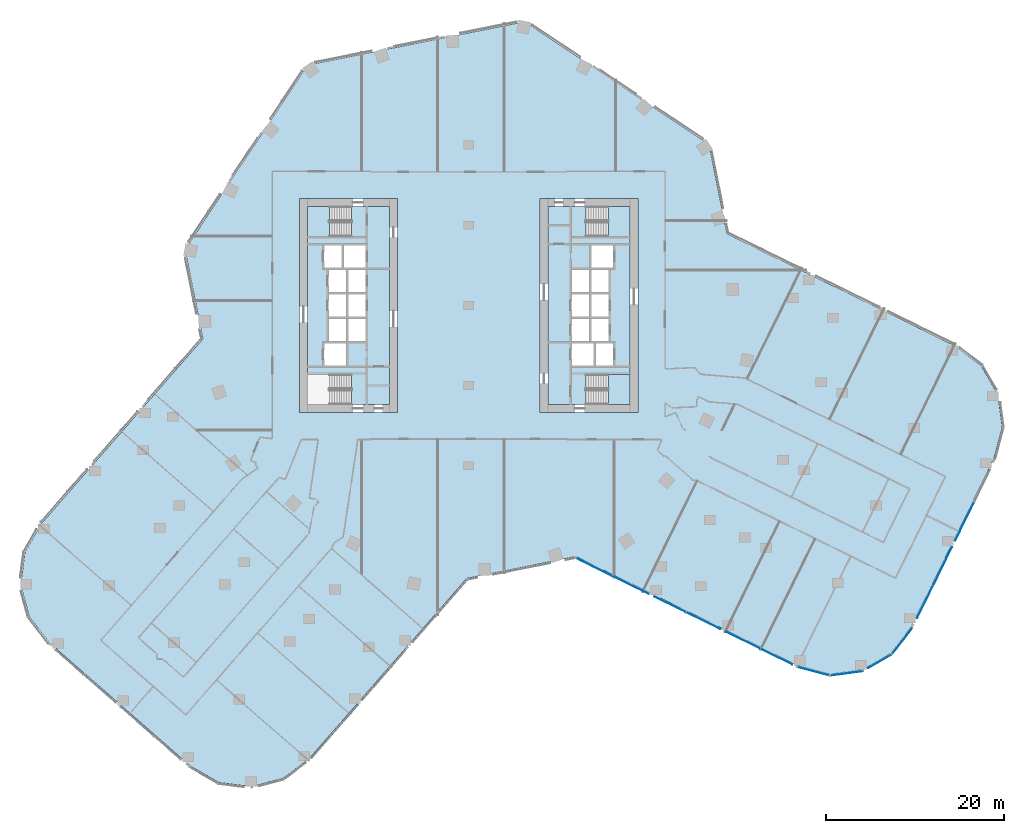
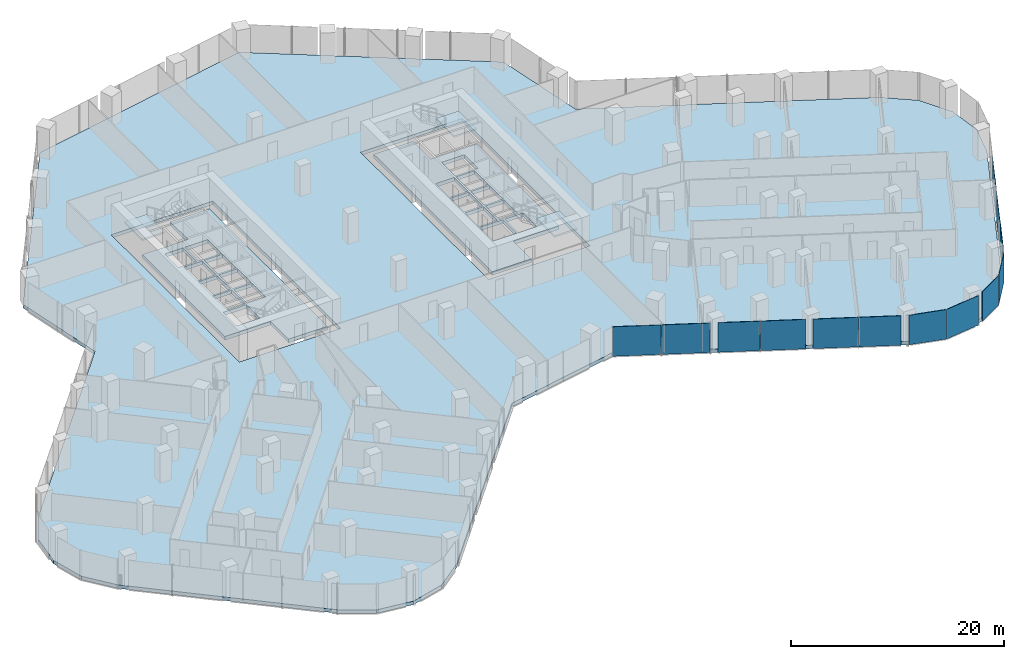
# One storey, part 21 of 38: 13 plates, 6 slabs, 9 elements without a shape of their own.
"""IFC4 building model written with IfcOpenShell, lengths in metres."""

import ifcopenshell
import ifcopenshell.guid

model = None  # the IFC model being written
_history = None  # IfcOwnerHistory: only IFC2X3 demands one
_inside = {}  # id of a spatial element -> (the spatial element, [elements in it])
_under = {}  # id of a project, library or spatial element -> (it, [spatial elements below it])
_declared = {}  # id of a project -> (the project, [libraries it declares])
_typed = {}  # id of a type object -> (the type object, [elements of that type])
_made_of = {}  # id of a material, layer set ... -> (it, [elements and type objects made of it])


def new_model(schema):
    """Start an empty IFC model of exactly this schema.

    Asked for "IFC4X3", IfcOpenShell would pick the latest addendum, in which some entities
    have other attributes; the version numbers below select the first issue.
    IFC2X3 requires an IfcOwnerHistory on every rooted entity: one is made here for all.
    """
    global model, _history
    if schema == "IFC4X3":
        model = ifcopenshell.file(schema_version=(4, 3, 0, 0))
    else:
        model = ifcopenshell.file(schema=schema)
    _inside.clear()
    _under.clear()
    _declared.clear()
    _typed.clear()
    _made_of.clear()
    _history = None
    if model.schema == "IFC2X3":
        org = make("IfcOrganization", Name="unknown")
        user = make(
            "IfcPersonAndOrganization",
            ThePerson=make("IfcPerson", FamilyName="unknown"),
            TheOrganization=org,
        )
        app = make(
            "IfcApplication",
            ApplicationDeveloper=org,
            Version="unknown",
            ApplicationFullName="unknown",
            ApplicationIdentifier="unknown",
        )
        _history = make(
            "IfcOwnerHistory",
            OwningUser=user,
            OwningApplication=app,
            ChangeAction="ADDED",
            CreationDate=0,
        )
    return model


def make(cls, **values):
    """One entity of the class cls with the attributes given. An attribute that is None is left unset."""
    return model.create_entity(
        cls, **{name: value for name, value in values.items() if value is not None}
    )


def rooted(cls, **values):
    """An entity with a GlobalId (a new one), such as an element, a storey or a relation."""
    return make(cls, GlobalId=ifcopenshell.guid.new(), OwnerHistory=_history, **values)


def si_unit(unit_type, name, prefix=None):
    """IfcSIUnit, for example si_unit("LENGTHUNIT", "METRE", prefix="MILLI")."""
    return make("IfcSIUnit", UnitType=unit_type, Prefix=prefix, Name=name)


def assignment(units):
    """IfcUnitAssignment: the units of a project."""
    return None if units is None else make("IfcUnitAssignment", Units=units)


def point(xyz):
    """IfcCartesianPoint."""
    return None if xyz is None else make("IfcCartesianPoint", Coordinates=xyz)


def direction(xyz):
    """IfcDirection."""
    return None if xyz is None else make("IfcDirection", DirectionRatios=xyz)


def frame(location, z_axis=None, x_axis=None):
    """IfcAxis2Placement3D, a coordinate frame: its origin and axes. An axis left out is left unset."""
    return make(
        "IfcAxis2Placement3D",
        Location=point(location),
        Axis=direction(z_axis),
        RefDirection=direction(x_axis),
    )


def frame_2d(location, x_axis=None):
    """IfcAxis2Placement2D, a coordinate frame in the plane: its origin and x axis."""
    return make(
        "IfcAxis2Placement2D", Location=point(location), RefDirection=direction(x_axis)
    )


def origin():
    """The frame at (0, 0, 0) with its axes left unset."""
    return frame((0.0, 0.0, 0.0))


def origin_2d():
    """The frame at (0, 0) in the plane with its x axis left unset."""
    return frame_2d((0.0, 0.0))


def place(relative_to, where):
    """IfcLocalPlacement: puts the frame where relative to a parent placement (None: the world)."""
    return make(
        "IfcLocalPlacement", PlacementRelTo=relative_to, RelativePlacement=where
    )


def context(
    kind, dimensions, precision=None, world=None, true_north=None, identifier=None
):
    """IfcGeometricRepresentationContext, for example the 3D "Model" context."""
    return make(
        "IfcGeometricRepresentationContext",
        ContextIdentifier=identifier,
        ContextType=kind,
        CoordinateSpaceDimension=dimensions,
        Precision=precision,
        WorldCoordinateSystem=world,
        TrueNorth=true_north,
    )


def subcontext(parent, identifier, kind, view, scale=None):
    """IfcGeometricRepresentationSubContext, for example "Body" below "Model"."""
    return make(
        "IfcGeometricRepresentationSubContext",
        ContextIdentifier=identifier,
        ContextType=kind,
        ParentContext=parent,
        TargetScale=scale,
        TargetView=view,
    )


def project(units=None, contexts=None):
    """IfcProject with its units and contexts."""
    return rooted(
        "IfcProject",
        Name="project",
        RepresentationContexts=contexts,
        UnitsInContext=assignment(units),
    )


def spatial(cls, under=None, at=None, **own):
    """A site, building, storey or space (cls), placed at a placement, below another one or the project."""
    s = rooted(cls, ObjectPlacement=at, **own)
    if under is not None:
        _under.setdefault(under.id(), (under, []))[1].append(s)
    return s


def polyline(points):
    """IfcPolyline through the points."""
    return make("IfcPolyline", Points=[point(p) for p in points])


def profile(cls, at=None, kind="AREA", **sizes):
    """A parametric profile (cls). Its sizes go by their IFC names, for example OverallWidth=200.0."""
    return make(cls, ProfileType=kind, Position=at, **sizes)


def rectangle(**sizes):
    """IfcRectangleProfileDef."""
    return profile("IfcRectangleProfileDef", **sizes)


def outline(outer, holes=None, kind="AREA"):
    """IfcArbitraryClosedProfileDef: a profile drawn as a closed curve; with holes, ...WithVoids."""
    if holes is None:
        return make("IfcArbitraryClosedProfileDef", ProfileType=kind, OuterCurve=outer)
    return make(
        "IfcArbitraryProfileDefWithVoids",
        ProfileType=kind,
        OuterCurve=outer,
        InnerCurves=holes,
    )


def extrude(swept, where, along, depth):
    """IfcExtrudedAreaSolid: the profile swept, set in the frame where, extruded along a direction by depth."""
    return make(
        "IfcExtrudedAreaSolid",
        SweptArea=swept,
        Position=where,
        ExtrudedDirection=direction(along),
        Depth=depth,
    )


def shape(context_of_items, identifier, shape_type, items):
    """IfcShapeRepresentation: the items that make up one representation, for example the "Body"."""
    return make(
        "IfcShapeRepresentation",
        ContextOfItems=context_of_items,
        RepresentationIdentifier=identifier,
        RepresentationType=shape_type,
        Items=items,
    )


def material(Name=None, Category=None):
    """IfcMaterial."""
    return make("IfcMaterial", Name=Name, Category=Category)


def layer(
    of_material, thickness, ventilated=None, Name=None, Category=None, Priority=None
):
    """IfcMaterialLayer: one layer of a wall or slab, of a material (None: an air gap)."""
    return make(
        "IfcMaterialLayer",
        Material=of_material,
        LayerThickness=thickness,
        IsVentilated=ventilated,
        Name=Name,
        Category=Category,
        Priority=Priority,
    )


def layer_set(layers, Name=None):
    """IfcMaterialLayerSet."""
    return make("IfcMaterialLayerSet", MaterialLayers=layers, LayerSetName=Name)


def made_of(thing, what):
    """Note that an element or type object is made of a material, layer set ...; save() writes the relation."""
    if what is not None:
        _made_of.setdefault(what.id(), (what, []))[1].append(thing)
    return thing


def type_object(cls, material=None, **own):
    """A type object (cls), such as IfcWallType, which elements share."""
    return made_of(rooted(cls, **own), material)


def element(
    cls,
    number,
    at=None,
    inside=None,
    cuts=None,
    type_object=None,
    material=None,
    context=None,
    identifier="Body",
    shape_type=None,
    held_by="IfcProductDefinitionShape",
    body=None,
    shapes=None,
    **own,
):
    """One element of the class cls, such as IfcWall. Its Tag is "e" and its number.

    at: its placement. inside: the storey or other place that contains it. cuts: it is an
    opening in that element (IfcRelVoidsElement). A single representation is given by context,
    identifier, shape_type and body (its items); several are given by shapes. held_by: the class
    of the entity that holds the representations. save() writes the other relations.
    """
    e = rooted(cls, Tag="e%d" % number, ObjectPlacement=at, **own)
    if body is not None:
        shapes = [shape(context, identifier, shape_type, body)]
    if shapes is not None:
        e.Representation = make(held_by, Representations=shapes)
    if inside is not None:
        _inside.setdefault(inside.id(), (inside, []))[1].append(e)
    if cuts is not None:
        rooted(
            "IfcRelVoidsElement", RelatingBuildingElement=cuts, RelatedOpeningElement=e
        )
    if type_object is not None:
        _typed.setdefault(type_object.id(), (type_object, []))[1].append(e)
    return made_of(e, material)


def aggregate(whole, parts):
    """IfcRelAggregates: a whole, such as a stair, and the parts it consists of."""
    return rooted("IfcRelAggregates", RelatingObject=whole, RelatedObjects=parts)


def save(model, path):
    """Write the relations noted so far, then the file.

    IfcRelAggregates (storeys below a building ...), IfcRelContainedInSpatialStructure (elements
    in a storey), IfcRelDefinesByType, IfcRelAssociatesMaterial and IfcRelDeclares: one each for
    every whole, place, type object, material and project.
    """
    for whole, parts in _under.values():
        aggregate(whole, parts)
    for where, things in _inside.values():
        rooted(
            "IfcRelContainedInSpatialStructure",
            RelatedElements=things,
            RelatingStructure=where,
        )
    for kind, things in _typed.values():
        rooted("IfcRelDefinesByType", RelatedObjects=things, RelatingType=kind)
    for what, things in _made_of.values():
        rooted("IfcRelAssociatesMaterial", RelatedObjects=things, RelatingMaterial=what)
    for by, libraries in _declared.values():
        rooted("IfcRelDeclares", RelatingContext=by, RelatedDefinitions=libraries)
    model.write(path)


model = new_model("IFC4")

# Units and contexts
model_context = context("Model", 3, precision=1e-05, world=origin(), true_north=direction((0.0, 1.0)))
body_context = subcontext(model_context, "Body", "Model", "MODEL_VIEW")
ifc_project = project(units=[si_unit("LENGTHUNIT", "METRE"), si_unit("AREAUNIT", "SQUARE_METRE"), si_unit("VOLUMEUNIT", "CUBIC_METRE"), si_unit("PLANEANGLEUNIT", "RADIAN"), si_unit("MASSUNIT", "GRAM", prefix="KILO")], contexts=[model_context])

# Site, building, storey
site_placement = place(None, origin())
site = spatial("IfcSite", under=ifc_project, at=site_placement, CompositionType="ELEMENT")
building_placement = place(site_placement, origin())
building = spatial("IfcBuilding", under=site, at=building_placement, Name="Orlundy Tower", CompositionType="ELEMENT")
storey_placement = place(building_placement, frame((0.0, 0.0, 65.800048828125)))
storey = spatial("IfcBuildingStorey", under=building, at=storey_placement, Name="L15", CompositionType="ELEMENT", Elevation=65.800048828125)

# Curtain wall, plates
ifc_material_1 = material(Name="Aluminium bronze anodised", Category="aluminium")
curtain_wall_type = type_object("IfcCurtainWallType", Name="CW1 wall", PredefinedType="NOTDEFINED", material=ifc_material_1)
curtain_wall_1_placement = place(storey_placement, origin())
curtain_wall_1 = element("IfcCurtainWall", 1, at=curtain_wall_1_placement, inside=storey, type_object=curtain_wall_type, Name="CW1 run 00", PredefinedType="NOTDEFINED")
ifc_material_2 = material(Name="Tinted glass", Category="glass")
ifc_layer_1 = layer(ifc_material_2, 0.031982421875)
ifc_layer_set_1 = layer_set([ifc_layer_1], Name="CW1 glass panel 32")
plate_type = type_object("IfcPlateType", Name="CW1 glass panel 32", PredefinedType="CURTAIN_PANEL", material=ifc_layer_set_1)
plate_1_placement = place(storey_placement, frame((34.528076171875, -39.4306640625, -0.280029296875), z_axis=(0.0, 0.0, 1.0), x_axis=(-0.897522339484, 0.440968989984, 0.0)))
plate_1 = element("IfcPlate", 2, at=plate_1_placement, type_object=plate_type, Name="CW1 panel", PredefinedType="CURTAIN_PANEL", context=body_context, shape_type="SweptSolid", body=[
    extrude(rectangle(XDim=3.966552734375, YDim=0.031982421875, at=origin_2d()), origin(), (0.0, 0.0, 1.0), 3.3798828125),
])
plate_2_placement = place(storey_placement, frame((30.803955078125, -37.60107421875, -0.280029296875), z_axis=(0.0, 0.0, 1.0), x_axis=(-0.897522339484, 0.440968989984, 0.0)))
plate_2 = element("IfcPlate", 3, at=plate_2_placement, type_object=plate_type, Name="CW1 panel", PredefinedType="CURTAIN_PANEL", context=body_context, shape_type="SweptSolid", body=[
    extrude(rectangle(XDim=4.23193359375, YDim=0.031982421875, at=origin_2d()), origin(), (0.0, 0.0, 1.0), 3.3798828125),
])
plate_3_placement = place(storey_placement, frame((26.348388671875, -35.411865234375, -0.280029296875), z_axis=(0.0, 0.0, 1.0), x_axis=(-0.897522339484, 0.440968989984, 0.0)))
plate_3 = element("IfcPlate", 4, at=plate_3_placement, type_object=plate_type, Name="CW1 panel", PredefinedType="CURTAIN_PANEL", context=body_context, shape_type="SweptSolid", body=[
    extrude(rectangle(XDim=4.26220703125, YDim=0.031982421875, at=origin_2d()), origin(), (0.0, 0.0, 1.0), 3.3798828125),
])
plate_4_placement = place(storey_placement, frame((22.623779296875, -33.58203125, -0.280029296875), z_axis=(0.0, 0.0, 1.0), x_axis=(-0.897522339484, 0.440968989984, 0.0)))
plate_4 = element("IfcPlate", 5, at=plate_4_placement, type_object=plate_type, Name="CW1 panel", PredefinedType="CURTAIN_PANEL", context=body_context, shape_type="SweptSolid", body=[
    extrude(rectangle(XDim=3.937255859375, YDim=0.031982421875, at=origin_2d()), origin(), (0.0, 0.0, 1.0), 3.3798828125),
])
plate_5_placement = place(storey_placement, frame((18.168212890625, -31.392822265625, -0.280029296875), z_axis=(0.0, 0.0, 1.0), x_axis=(-0.897522339484, 0.440968989984, 0.0)))
plate_5 = element("IfcPlate", 6, at=plate_5_placement, type_object=plate_type, Name="CW1 panel", PredefinedType="CURTAIN_PANEL", context=body_context, shape_type="SweptSolid", body=[
    extrude(rectangle(XDim=4.556640625, YDim=0.031982421875, at=origin_2d()), origin(), (0.0, 0.0, 1.0), 3.3798828125),
])
plate_6_placement = place(storey_placement, frame((14.03662109375, -29.363037109375, -0.280029296875), z_axis=(0.0, 0.0, 1.0), x_axis=(-0.897522339484, 0.440968989984, 0.0)))
plate_6 = element("IfcPlate", 7, at=plate_6_placement, type_object=plate_type, Name="CW1 panel", PredefinedType="CURTAIN_PANEL", context=body_context, shape_type="SweptSolid", body=[
    extrude(rectangle(XDim=4.550048828125, YDim=0.031982421875, at=origin_2d()), origin(), (0.0, 0.0, 1.0), 3.3798828125),
])
aggregate(curtain_wall_1, [plate_1, plate_2, plate_3, plate_4, plate_5, plate_6])

curtain_wall_2_placement = place(storey_placement, origin())
curtain_wall_2 = element("IfcCurtainWall", 8, at=curtain_wall_2_placement, inside=storey, type_object=curtain_wall_type, Name="CW1 run 023", PredefinedType="NOTDEFINED")
plate_7_placement = place(storey_placement, frame((55.680908203125, -24.239990234375, -0.280029296875), z_axis=(0.0, 0.0, 1.0), x_axis=(-0.441012235503, -0.897501090883, 0.0)))
plate_7 = element("IfcPlate", 9, at=plate_7_placement, type_object=plate_type, Name="CW1 panel", PredefinedType="CURTAIN_PANEL", context=body_context, shape_type="SweptSolid", body=[
    extrude(rectangle(XDim=4.852294921875, YDim=0.031982421875, at=origin_2d()), origin(), (0.0, 0.0, 1.0), 3.3798828125),
])
plate_8_placement = place(storey_placement, frame((53.193115234375, -29.302978515625, -0.280029296875), z_axis=(0.0, 0.0, 1.0), x_axis=(-0.441012235503, -0.897501090883, 0.0)))
plate_8 = element("IfcPlate", 10, at=plate_8_placement, type_object=plate_type, Name="CW1 panel", PredefinedType="CURTAIN_PANEL", context=body_context, shape_type="SweptSolid", body=[
    extrude(rectangle(XDim=4.764404296875, YDim=0.031982421875, at=origin_2d()), origin(), (0.0, 0.0, 1.0), 3.3798828125),
])
plate_9_placement = place(storey_placement, frame((51.227294921875, -33.3037109375, -0.280029296875), z_axis=(0.0, 0.0, 1.0), x_axis=(-0.441012235503, -0.897501090883, 0.0)))
plate_9 = element("IfcPlate", 11, at=plate_9_placement, type_object=plate_type, Name="CW1 panel", PredefinedType="CURTAIN_PANEL", context=body_context, shape_type="SweptSolid", body=[
    extrude(rectangle(XDim=4.05078125, YDim=0.031982421875, at=origin_2d()), origin(), (0.0, 0.0, 1.0), 3.3798828125),
])
aggregate(curtain_wall_2, [plate_7, plate_8, plate_9])

# Curtain wall, plate
curtain_wall_3_placement = place(storey_placement, origin())
curtain_wall_3 = element("IfcCurtainWall", 12, at=curtain_wall_3_placement, inside=storey, type_object=curtain_wall_type, Name="CW1 run 024", PredefinedType="NOTDEFINED")
plate_10_placement = place(storey_placement, frame((48.66064453125, -37.691162109375, -0.280029296875), z_axis=(0.0, 0.0, 1.0), x_axis=(-0.607570269729, -0.794265929863, 0.0)))
plate_10 = element("IfcPlate", 13, at=plate_10_placement, type_object=plate_type, Name="CW1 panel", PredefinedType="CURTAIN_PANEL", context=body_context, shape_type="SweptSolid", body=[
    extrude(rectangle(XDim=3.730224609375, YDim=0.031982421875, at=origin_2d()), origin(), (0.0, 0.0, 1.0), 3.3798828125),
])
aggregate(curtain_wall_3, [plate_10])

curtain_wall_4_placement = place(storey_placement, origin())
curtain_wall_4 = element("IfcCurtainWall", 14, at=curtain_wall_4_placement, inside=storey, type_object=curtain_wall_type, Name="CW1 run 025", PredefinedType="NOTDEFINED")
plate_11_placement = place(storey_placement, frame((46.19677734375, -39.943603515625, -0.280029296875), z_axis=(0.0, 0.0, 1.0), x_axis=(-0.865272308879, -0.501302135928, 0.0)))
plate_11 = element("IfcPlate", 15, at=plate_11_placement, type_object=plate_type, Name="CW1 panel", PredefinedType="CURTAIN_PANEL", context=body_context, shape_type="SweptSolid", body=[
    extrude(rectangle(XDim=3.075927734375, YDim=0.031982421875, at=origin_2d()), origin(), (0.0, 0.0, 1.0), 3.3798828125),
])
aggregate(curtain_wall_4, [plate_11])

curtain_wall_5_placement = place(storey_placement, origin())
curtain_wall_5 = element("IfcCurtainWall", 16, at=curtain_wall_5_placement, inside=storey, type_object=curtain_wall_type, Name="CW1 run 026", PredefinedType="NOTDEFINED")
plate_12_placement = place(storey_placement, frame((42.39404296875, -41.3125, -0.280029296875), z_axis=(0.0, 0.0, 1.0), x_axis=(-0.991227900682, -0.132163720098, 0.0)))
plate_12 = element("IfcPlate", 17, at=plate_12_placement, type_object=plate_type, Name="CW1 panel", PredefinedType="CURTAIN_PANEL", context=body_context, shape_type="SweptSolid", body=[
    extrude(rectangle(XDim=3.772705078125, YDim=0.031982421875, at=origin_2d()), origin(), (0.0, 0.0, 1.0), 3.3798828125),
])
aggregate(curtain_wall_5, [plate_12])

curtain_wall_6_placement = place(storey_placement, origin())
curtain_wall_6 = element("IfcCurtainWall", 18, at=curtain_wall_6_placement, inside=storey, type_object=curtain_wall_type, Name="CW1 run 027", PredefinedType="NOTDEFINED")
plate_13_placement = place(storey_placement, frame((38.763916015625, -41.092529296875, -0.280029296875), z_axis=(0.0, 0.0, 1.0), x_axis=(-0.966230461093, 0.25767944438, 0.0)))
plate_13 = element("IfcPlate", 19, at=plate_13_placement, type_object=plate_type, Name="CW1 panel", PredefinedType="CURTAIN_PANEL", context=body_context, shape_type="SweptSolid", body=[
    extrude(rectangle(XDim=3.6435546875, YDim=0.031982421875, at=origin_2d()), origin(), (0.0, 0.0, 1.0), 3.3798828125),
])
aggregate(curtain_wall_6, [plate_13])

# Slabs
ifc_material_3 = material(Name="Concrete C50/60", Category="concrete")
ifc_layer_2 = layer(ifc_material_3, 0.409912109375)
ifc_layer_set_2 = layer_set([ifc_layer_2], Name="Core Floor Slab 410")
slab_type_1 = type_object("IfcSlabType", Name="Core Floor Slab 410", PredefinedType="FLOOR", material=ifc_layer_set_2)
slab_1_placement = place(storey_placement, frame((0.0, 0.0, -0.41015625)))
element("IfcSlab", 20, at=slab_1_placement, inside=storey, type_object=slab_type_1, Name="Core floor W13", PredefinedType="FLOOR", context=body_context, shape_type="SweptSolid", body=[
    extrude(outline(polyline([(-13.14501953125, 7.75), (-13.14501953125, 11.10009765625), (-8.89990234375, 11.10009765625), (-8.89990234375, -11.10009765625), (-13.14501953125, -11.10009765625), (-13.14501953125, -7.75), (-18.10009765625, -7.75), (-18.10009765625, 7.75), (-13.14501953125, 7.75)]), holes=[polyline([(-16.239990234375, -6.77490234375), (-13.739990234375, -6.77490234375), (-13.739990234375, -4.22509765625), (-16.239990234375, -4.22509765625), (-16.239990234375, -6.77490234375)]), polyline([(-13.5400390625, -1.47509765625), (-13.5400390625, -4.02490234375), (-11.5400390625, -4.02490234375), (-11.5400390625, -1.47509765625), (-13.5400390625, -1.47509765625)]), polyline([(-13.739990234375, -1.47509765625), (-15.739990234375, -1.47509765625), (-15.739990234375, -4.02490234375), (-13.739990234375, -4.02490234375), (-13.739990234375, -1.47509765625)]), polyline([(-11.5400390625, -1.27490234375), (-11.5400390625, 1.27490234375), (-13.5400390625, 1.27490234375), (-13.5400390625, -1.27490234375), (-11.5400390625, -1.27490234375)]), polyline([(-15.739990234375, -1.27490234375), (-13.739990234375, -1.27490234375), (-13.739990234375, 1.27490234375), (-15.739990234375, 1.27490234375), (-15.739990234375, -1.27490234375)]), polyline([(-13.5400390625, 4.02490234375), (-13.5400390625, 1.47509765625), (-11.5400390625, 1.47509765625), (-11.5400390625, 4.02490234375), (-13.5400390625, 4.02490234375)]), polyline([(-13.739990234375, 4.02490234375), (-15.739990234375, 4.02490234375), (-15.739990234375, 1.47509765625), (-13.739990234375, 1.47509765625), (-13.739990234375, 4.02490234375)]), polyline([(-11.5400390625, 4.22509765625), (-11.5400390625, 6.77490234375), (-14.0400390625, 6.77490234375), (-14.0400390625, 4.22509765625), (-11.5400390625, 4.22509765625)]), polyline([(-16.239990234375, 4.22509765625), (-14.239990234375, 4.22509765625), (-14.239990234375, 6.77490234375), (-16.239990234375, 6.77490234375), (-16.239990234375, 4.22509765625)])]), origin(), (0.0, 0.0, 1.0), 0.41015625),
])
slab_2_placement = place(storey_placement, frame((0.0, 0.0, -0.41015625)))
element("IfcSlab", 21, at=slab_2_placement, inside=storey, type_object=slab_type_1, Name="Core floor E13", PredefinedType="FLOOR", context=body_context, shape_type="SweptSolid", body=[
    extrude(outline(polyline([(13.14501953125, -7.75), (13.14501953125, -11.10009765625), (8.89990234375, -11.10009765625), (8.89990234375, 11.10009765625), (13.14501953125, 11.10009765625), (13.14501953125, 7.75), (18.10009765625, 7.75), (18.10009765625, -7.75), (13.14501953125, -7.75)]), holes=[polyline([(16.239990234375, 6.77490234375), (13.739990234375, 6.77490234375), (13.739990234375, 4.22509765625), (16.239990234375, 4.22509765625), (16.239990234375, 6.77490234375)]), polyline([(13.5400390625, 1.47509765625), (13.5400390625, 4.02490234375), (11.5400390625, 4.02490234375), (11.5400390625, 1.47509765625), (13.5400390625, 1.47509765625)]), polyline([(13.739990234375, 1.47509765625), (15.739990234375, 1.47509765625), (15.739990234375, 4.02490234375), (13.739990234375, 4.02490234375), (13.739990234375, 1.47509765625)]), polyline([(11.5400390625, 1.27490234375), (11.5400390625, -1.27490234375), (13.5400390625, -1.27490234375), (13.5400390625, 1.27490234375), (11.5400390625, 1.27490234375)]), polyline([(15.739990234375, 1.27490234375), (13.739990234375, 1.27490234375), (13.739990234375, -1.27490234375), (15.739990234375, -1.27490234375), (15.739990234375, 1.27490234375)]), polyline([(13.5400390625, -4.02490234375), (13.5400390625, -1.47509765625), (11.5400390625, -1.47509765625), (11.5400390625, -4.02490234375), (13.5400390625, -4.02490234375)]), polyline([(13.739990234375, -4.02490234375), (15.739990234375, -4.02490234375), (15.739990234375, -1.47509765625), (13.739990234375, -1.47509765625), (13.739990234375, -4.02490234375)]), polyline([(11.5400390625, -4.22509765625), (11.5400390625, -6.77490234375), (14.0400390625, -6.77490234375), (14.0400390625, -4.22509765625), (11.5400390625, -4.22509765625)]), polyline([(16.239990234375, -4.22509765625), (14.239990234375, -4.22509765625), (14.239990234375, -6.77490234375), (16.239990234375, -6.77490234375), (16.239990234375, -4.22509765625)])]), origin(), (0.0, 0.0, 1.0), 0.41015625),
])

# Stair, slab
ifc_material_4 = material(Name="Concrete C50/60", Category="concrete")
stair_type = type_object("IfcStairType", Name="Exit Stair 20 risers", PredefinedType="HALF_TURN_STAIR", material=ifc_material_4)
stair_1_placement = place(storey_placement, origin())
stair_1 = element("IfcStair", 22, at=stair_1_placement, inside=storey, type_object=stair_type, Name="L15 Exit Stair ST-W1", PredefinedType="HALF_TURN_STAIR")
ifc_material_5 = material(Name="Concrete C50/60", Category="concrete")
ifc_layer_3 = layer(ifc_material_5, 0.199951171875)
ifc_layer_set_3 = layer_set([ifc_layer_3], Name="Exit Stair Landing")
slab_type_2 = type_object("IfcSlabType", Name="Exit Stair Landing", PredefinedType="LANDING", material=ifc_layer_set_3)
slab_3_placement = place(storey_placement, frame((0.0, 0.0, 1.550048828125)))
slab_3 = element("IfcSlab", 23, at=slab_3_placement, type_object=slab_type_2, Name="ST-W1 landing 1", PredefinedType="LANDING", context=body_context, shape_type="SweptSolid", body=[
    extrude(outline(polyline([(-15.659912109375, 11.10009765625), (-18.10009765625, 11.10009765625), (-18.10009765625, 7.75), (-15.659912109375, 7.75), (-15.659912109375, 11.10009765625)])), origin(), (0.0, 0.0, 1.0), 0.199951171875),
])
aggregate(stair_1, [slab_3])

stair_2_placement = place(storey_placement, origin())
stair_2 = element("IfcStair", 24, at=stair_2_placement, inside=storey, type_object=stair_type, Name="L15 Exit Stair ST-E1", PredefinedType="HALF_TURN_STAIR")
slab_4_placement = place(storey_placement, frame((0.0, 0.0, 1.550048828125)))
slab_4 = element("IfcSlab", 25, at=slab_4_placement, type_object=slab_type_2, Name="ST-E1 landing 1", PredefinedType="LANDING", context=body_context, shape_type="SweptSolid", body=[
    extrude(outline(polyline([(15.659912109375, -11.10009765625), (18.10009765625, -11.10009765625), (18.10009765625, -7.75), (15.659912109375, -7.75), (15.659912109375, -11.10009765625)])), origin(), (0.0, 0.0, 1.0), 0.199951171875),
])
aggregate(stair_2, [slab_4])

stair_3_placement = place(storey_placement, origin())
stair_3 = element("IfcStair", 26, at=stair_3_placement, inside=storey, type_object=stair_type, Name="L15 Exit Stair ST-E2", PredefinedType="HALF_TURN_STAIR")
slab_5_placement = place(storey_placement, frame((0.0, 0.0, 1.550048828125)))
slab_5 = element("IfcSlab", 27, at=slab_5_placement, type_object=slab_type_2, Name="ST-E2 landing 1", PredefinedType="LANDING", context=body_context, shape_type="SweptSolid", body=[
    extrude(outline(polyline([(15.659912109375, 7.75), (18.10009765625, 7.75), (18.10009765625, 11.10009765625), (15.659912109375, 11.10009765625), (15.659912109375, 7.75)])), origin(), (0.0, 0.0, 1.0), 0.199951171875),
])
aggregate(stair_3, [slab_5])

# Slab
ifc_material_6 = material(Name="Concrete C45/55", Category="concrete")
ifc_layer_4 = layer(ifc_material_6, 0.39990234375)
ifc_layer_set_4 = layer_set([ifc_layer_4], Name="FLOOR SLAB THICK 400 C45/55")
slab_type_3 = type_object("IfcSlabType", Name="FLOOR SLAB THICK 400 C45/55", PredefinedType="FLOOR", material=ifc_layer_set_4)
slab_6_placement = place(storey_placement, frame((0.0, 0.0, -0.400146484375)))
element("IfcSlab", 28, at=slab_6_placement, inside=storey, type_object=slab_type_3, Name="Floor slab L15", PredefinedType="FLOOR", context=body_context, shape_type="SweptSolid", body=[
    extrude(outline(polyline([(12.01708984375, -28.18798828125), (-0.22607421875, -30.64208984375), (-17.85693359375, -50.804931640625), (-20.7939453125, -53.06591796875), (-24.373046875, -54.030029296875), (-28.049072265625, -53.552001953125), (-31.261962890625, -51.702880859375), (-47.070068359375, -37.8798828125), (-49.3310546875, -34.94189453125), (-50.2958984375, -31.363037109375), (-49.81689453125, -27.68798828125), (-47.968994140625, -24.47509765625), (-29.844970703125, -3.7490234375), (-31.85693359375, 6.2890625), (-18.080078125, 26.972900390625), (6.2890625, 31.85693359375), (26.972900390625, 18.080078125), (28.985107421875, 8.0419921875), (54.593017578125, -4.5400390625), (57.537109375, -6.7919921875), (59.39501953125, -10.0), (59.884033203125, -13.674072265625), (58.929931640625, -17.256103515625), (49.6689453125, -36.10302734375), (47.4169921875, -39.047119140625), (44.2099609375, -40.905029296875), (40.534912109375, -41.39501953125), (36.9541015625, -40.43994140625), (12.01708984375, -28.18798828125)]), holes=[polyline([(-8.0, -12.0), (-8.0, 12.0), (-19.0, 12.0), (-19.0, -12.0), (-8.0, -12.0)]), polyline([(19.0, -12.0), (19.0, 12.0), (8.0, 12.0), (8.0, -12.0), (19.0, -12.0)])]), origin(), (0.0, 0.0, 1.0), 0.400146484375),
])

save(model, "model.ifc")
